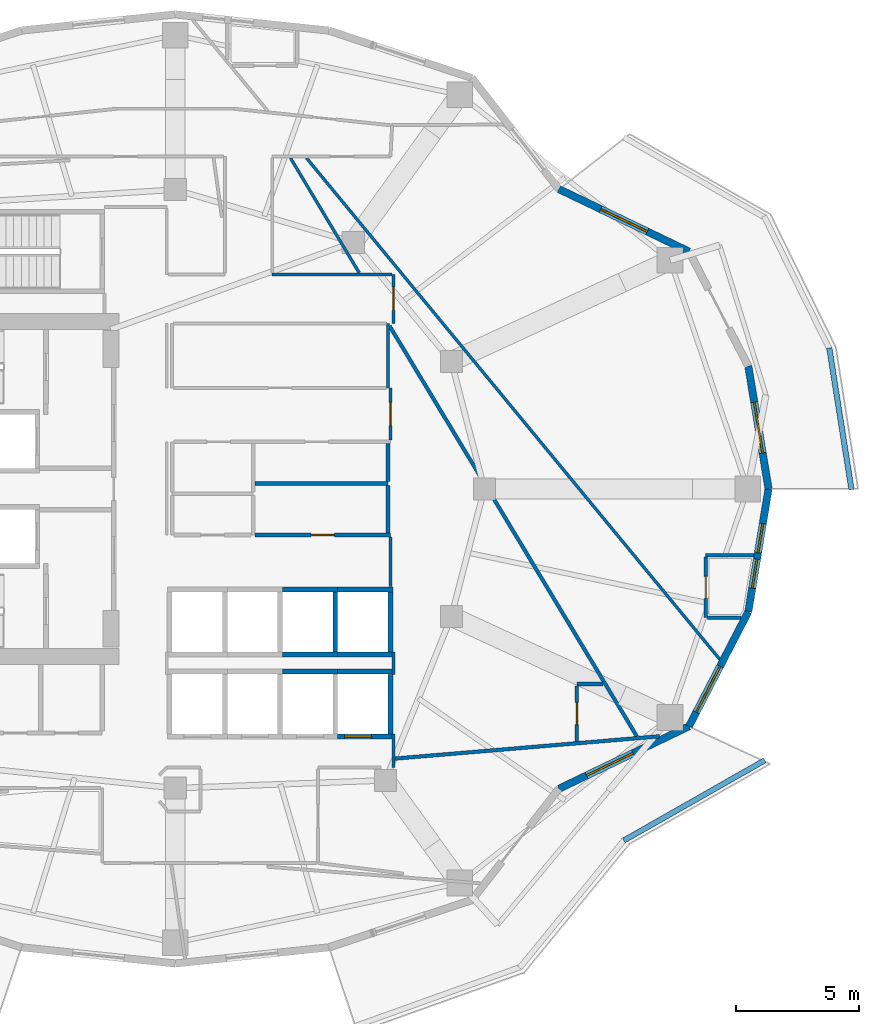
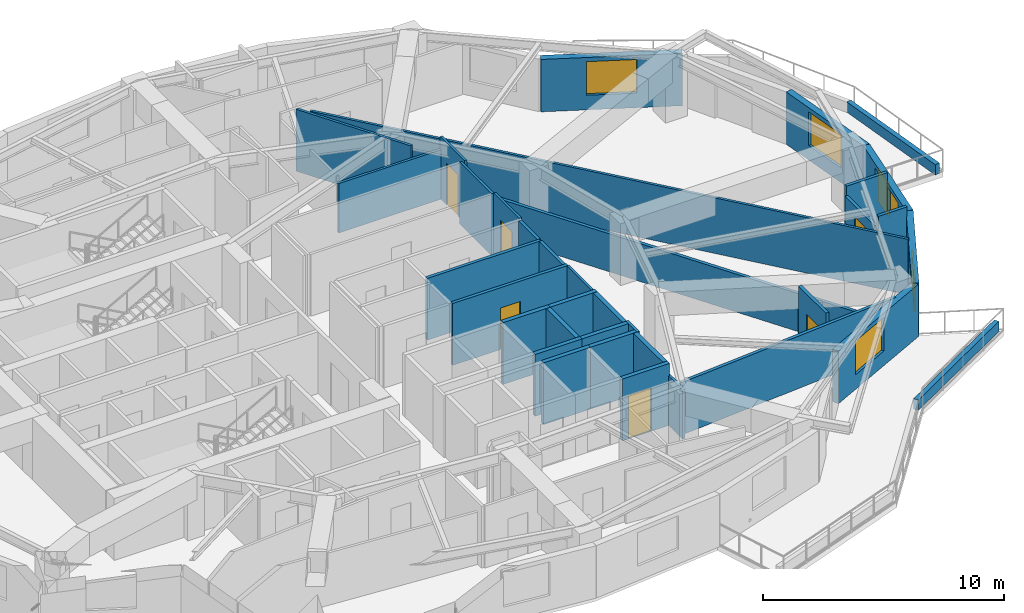
# One storey, part 6 of 12: 37 walls, 6 doors, 6 windows, 12 openings.
"""IFC4 building model written with IfcOpenShell, lengths in metres."""

from ifc_helpers import new_model, si_unit, direction, frame, frame_2d, origin, place, context, subcontext, project, spatial, rectangle, extrude, material, layer, layer_set, type_object, element, fill, save


model = new_model("IFC4")

# Units and contexts
model_context = context("Model", 3, precision=1e-05, world=origin(), true_north=direction((0.0, 1.0)))
body_context = subcontext(model_context, "Body", "Model", "MODEL_VIEW")
ifc_project = project(units=[si_unit("LENGTHUNIT", "METRE"), si_unit("AREAUNIT", "SQUARE_METRE"), si_unit("VOLUMEUNIT", "CUBIC_METRE"), si_unit("PLANEANGLEUNIT", "RADIAN"), si_unit("MASSUNIT", "GRAM", prefix="KILO")], contexts=[model_context])

# Site, building, storey
site_placement = place(None, origin())
site = spatial("IfcSite", under=ifc_project, at=site_placement, CompositionType="ELEMENT")
building_placement = place(site_placement, origin())
building = spatial("IfcBuilding", under=site, at=building_placement, Name="Kolvaren Gate Tower and Convention Centre", CompositionType="ELEMENT")
storey_placement = place(building_placement, frame((0.0, 0.0, 139.300048828125)))
storey = spatial("IfcBuildingStorey", under=building, at=storey_placement, Name="L35", CompositionType="ELEMENT", Elevation=139.300048828125)

# Walls
ifc_material_1 = material(Name="Fire-Rated Acoustic Gypsum Stud Partition", Category="gypsum")
ifc_layer_1 = layer(ifc_material_1, 0.1201171875)
ifc_layer_set_1 = layer_set([ifc_layer_1], Name="Fire-Rated Acoustic Gypsum Stud Partition")
wall_type_1 = type_object("IfcWallType", Name="ARCH-WL-PART-120", PredefinedType="PARTITIONING", material=ifc_layer_set_1)
wall_1_placement = place(storey_placement, frame((38.800048828125, 31.1201171875, 0.0), z_axis=(0.0, 0.0, 1.0), x_axis=(0.0, 1.0, 0.0)))
element("IfcWall", 1, at=wall_1_placement, inside=storey, type_object=wall_type_1, Name="Interior Partition WL-L35-INT-024", PredefinedType="PARTITIONING", context=body_context, shape_type="SweptSolid", body=[
    extrude(rectangle(XDim=2.6298828125, YDim=0.1201171875, at=frame_2d((1.31494140625, 0.0))), origin(), (0.0, 0.0, 1.0), 3.1298828125),
])
wall_2_placement = place(storey_placement, frame((39.02001953125, 15.64990234375, 0.0), z_axis=(0.0, 0.0, 1.0), x_axis=(0.0, 1.0, 0.0)))
element("IfcWall", 2, at=wall_2_placement, inside=storey, type_object=wall_type_1, Name="Interior Partition WL-L35-INT-027", PredefinedType="PARTITIONING", context=body_context, shape_type="SweptSolid", body=[
    extrude(rectangle(XDim=1.360107421875, YDim=0.1201171875, at=frame_2d((0.68017578125, 0.0))), origin(), (0.0, 0.0, 1.0), 2.5048828125),
])
wall_3_placement = place(storey_placement, frame((39.02001953125, 19.43994140625, 0.0), z_axis=(0.0, 0.0, 1.0), x_axis=(0.0, 1.0, 0.0)))
element("IfcWall", 3, at=wall_3_placement, inside=storey, type_object=wall_type_1, Name="Interior Partition WL-L35-INT-027 (2)", PredefinedType="PARTITIONING", context=body_context, shape_type="SweptSolid", body=[
    extrude(rectangle(XDim=0.920166015625, YDim=0.1201171875, at=frame_2d((0.4599609375, 0.0))), origin(), (0.0, 0.0, 1.0), 3.1298828125),
])

# Wall, opening, door
wall_4_placement = place(storey_placement, frame((39.02001953125, 33.75, 0.0), z_axis=(0.0, 0.0, 1.0), x_axis=(0.0, 1.0, 0.0)))
wall_4 = element("IfcWall", 4, at=wall_4_placement, inside=storey, type_object=wall_type_1, Name="Interior Partition WL-L35-INT-028", PredefinedType="PARTITIONING", context=body_context, shape_type="SweptSolid", body=[
    extrude(rectangle(XDim=2.0, YDim=0.1201171875, at=frame_2d((1.0, 0.0))), origin(), (0.0, 0.0, 1.0), 3.1298828125),
])
opening_1_placement = place(wall_4_placement, frame((0.52490234375, 0.0, 0.0)))
opening_1 = element("IfcOpeningElement", 5, at=opening_1_placement, cuts=wall_4, Name="Opening DR-01", PredefinedType="OPENING", context=body_context, shape_type="SweptSolid", body=[
    extrude(rectangle(XDim=0.949951171875, YDim=2.10009765625, at=frame_2d((0.47509765625, 1.050048828125))), frame((0.0, 0.070068359375, 0.0), z_axis=(0.0, -1.0, 0.0), x_axis=(1.0, 0.0, 0.0)), (0.0, 0.0, 1.0), 0.14013671875),
])
ifc_material_2 = material(Name="Painted Architectural Steelwork ASTM A500 Grade C 345 MPa", Category="steel")
door_type_1 = type_object("IfcDoorType", Name="ARCH-DR-RISER-950", OperationType="SINGLE_SWING_RIGHT", PredefinedType="DOOR", material=ifc_material_2)
door_1_placement = place(opening_1_placement, origin())
door_1 = element("IfcDoor", 6, at=door_1_placement, inside=storey, type_object=door_type_1, Name="Hotel Botanical Clubroom Door", OperationType="SINGLE_SWING_LEFT", OverallHeight=2.10009765625, OverallWidth=0.949951171875, PredefinedType="DOOR", context=body_context, shape_type="SweptSolid", body=[
    extrude(rectangle(XDim=0.949951171875, YDim=2.10009765625, at=frame_2d((0.47509765625, 1.050048828125))), frame((0.0, 0.02490234375, 0.0), z_axis=(0.0, -1.0, 0.0), x_axis=(1.0, 0.0, 0.0)), (0.0, 0.0, 1.0), 0.050048828125),
])
fill(opening_1, door_1)

# Walls
wall_5_placement = place(storey_placement, frame((34.080078125, 35.75, 0.0), z_axis=(0.0, 0.0, 1.0), x_axis=(1.0, 0.0, 0.0)))
element("IfcWall", 7, at=wall_5_placement, inside=storey, type_object=wall_type_1, Name="Interior Partition WL-L35-INT-044", PredefinedType="PARTITIONING", context=body_context, shape_type="SweptSolid", body=[
    extrude(rectangle(XDim=4.8779296875, YDim=0.1201171875, at=frame_2d((2.43896484375, 0.0))), origin(), (0.0, 0.0, 1.0), 2.5048828125),
])
wall_6_placement = place(storey_placement, frame((38.89990234375, 23.02001953125, 0.0), z_axis=(0.0, 0.0, 1.0), x_axis=(0.0, 1.0, 0.0)))
element("IfcWall", 8, at=wall_6_placement, inside=storey, type_object=wall_type_1, Name="Interior Partition WL-L35-INT-053", PredefinedType="PARTITIONING", context=body_context, shape_type="SweptSolid", body=[
    extrude(rectangle(XDim=2.02294921875, YDim=0.1201171875, at=frame_2d((1.011474609375, 0.0))), origin(), (0.0, 0.0, 1.0), 3.1298828125),
])

# Wall, opening, door
wall_7_placement = place(storey_placement, frame((38.89990234375, 28.9970703125, 0.0), z_axis=(0.0, 0.0, 1.0), x_axis=(0.0, 1.0, 0.0)))
wall_7 = element("IfcWall", 9, at=wall_7_placement, inside=storey, type_object=wall_type_1, Name="Interior Partition WL-L35-INT-054", PredefinedType="PARTITIONING", context=body_context, shape_type="SweptSolid", body=[
    extrude(rectangle(XDim=2.123046875, YDim=0.1201171875, at=frame_2d((1.0615234375, 0.0))), origin(), (0.0, 0.0, 1.0), 3.1298828125),
])
opening_2_placement = place(wall_7_placement, frame((0.58642578125, 0.0, 0.0)))
opening_2 = element("IfcOpeningElement", 10, at=opening_2_placement, cuts=wall_7, Name="Opening DR-01", PredefinedType="OPENING", context=body_context, shape_type="SweptSolid", body=[
    extrude(rectangle(XDim=0.949951171875, YDim=2.10009765625, at=frame_2d((0.47509765625, 1.050048828125))), frame((0.0, 0.070068359375, 0.0), z_axis=(0.0, -1.0, 0.0), x_axis=(1.0, 0.0, 0.0)), (0.0, 0.0, 1.0), 0.14013671875),
])
door_2_placement = place(opening_2_placement, origin())
door_2 = element("IfcDoor", 11, at=door_2_placement, inside=storey, type_object=door_type_1, Name="Deluxe Hotel Suite (HTL-L35-05) Door", OperationType="SINGLE_SWING_RIGHT", OverallHeight=2.10009765625, OverallWidth=0.949951171875, PredefinedType="DOOR", context=body_context, shape_type="SweptSolid", body=[
    extrude(rectangle(XDim=0.949951171875, YDim=2.10009765625, at=frame_2d((0.47509765625, 1.050048828125))), frame((0.0, 0.02490234375, 0.0), z_axis=(0.0, -1.0, 0.0), x_axis=(1.0, 0.0, 0.0)), (0.0, 0.0, 1.0), 0.050048828125),
])
fill(opening_2, door_2)

# Walls
wall_8_placement = place(storey_placement, frame((34.824951171875, 40.488037109375, 0.0), z_axis=(0.0, 0.0, 1.0), x_axis=(0.513579710685, -0.85804188754, 0.0)))
element("IfcWall", 12, at=wall_8_placement, inside=storey, type_object=wall_type_1, Name="Interior Partition WL-L35-INT-068", PredefinedType="PARTITIONING", context=body_context, shape_type="SweptSolid", body=[
    extrude(rectangle(XDim=5.44970703125, YDim=0.1201171875, at=frame_2d((2.724853515625, 0.0))), origin(), (0.0, 0.0, 1.0), 3.1298828125),
])
wall_9_placement = place(storey_placement, frame((35.47900390625, 40.488037109375, 0.0), z_axis=(0.0, 0.0, 1.0), x_axis=(0.636055982797, -0.771642914014, 0.0)))
element("IfcWall", 13, at=wall_9_placement, inside=storey, type_object=wall_type_1, Name="Interior Partition WL-L35-INT-070", PredefinedType="PARTITIONING", context=body_context, shape_type="SweptSolid", body=[
    extrude(rectangle(XDim=26.47265625, YDim=0.1201171875, at=frame_2d((13.236328125, 0.0))), origin(), (0.0, 0.0, 1.0), 2.81201171875),
])
ifc_material_3 = material(Name="Piedmont Cream Honed Limestone Cladding", Category="masonry")
ifc_layer_2 = layer(ifc_material_3, 0.219970703125)
ifc_layer_set_2 = layer_set([ifc_layer_2], Name="Piedmont Cream Honed Limestone Cladding")
wall_type_2 = type_object("IfcWallType", Name="ARCH-WL-PLANTER-220", PredefinedType="PARAPET", material=ifc_layer_set_2)
wall_10_placement = place(storey_placement, frame((56.78857421875, 32.745849609375, 0.0), z_axis=(0.0, 0.0, 1.0), x_axis=(0.154903030247, -0.987929679289, 0.0)))
element("IfcWall", 14, at=wall_10_placement, inside=storey, type_object=wall_type_2, Name="Vertical-Forest Balcony Stone Planter Kerb PK-L35-1.1", PredefinedType="PARAPET", context=body_context, shape_type="SweptSolid", body=[
    extrude(rectangle(XDim=5.845703125, YDim=0.219970703125, at=frame_2d((2.9228515625, 0.0))), origin(), (0.0, 0.0, 1.0), 0.52001953125),
])
wall_11_placement = place(storey_placement, frame((48.41259765625, 12.667724609375, 0.0), z_axis=(0.0, 0.0, 1.0), x_axis=(0.869187658335, 0.494482370361, 0.0)))
element("IfcWall", 15, at=wall_11_placement, inside=storey, type_object=wall_type_2, Name="Vertical-Forest Balcony Stone Planter Kerb PK-L35-4.3", PredefinedType="PARAPET", context=body_context, shape_type="SweptSolid", body=[
    extrude(rectangle(XDim=6.606201171875, YDim=0.219970703125, at=frame_2d((3.30322265625, 0.0))), origin(), (0.0, 0.0, 1.0), 0.52001953125),
])
ifc_material_4 = material(Name="Autoclaved Aerated Masonry Blockwork Class 4 (4.0 MPa)", Category="masonry")
ifc_layer_3 = layer(ifc_material_4, 0.199951171875)
ifc_layer_set_3 = layer_set([ifc_layer_3], Name="Autoclaved Aerated Masonry Blockwork Class 4 (4.0 MPa)")
wall_type_3 = type_object("IfcWallType", Name="ARCH-WL-SHAFT-200", PredefinedType="SOLIDWALL", material=ifc_layer_set_3)
for number, where, z_axis, x_axis, name in (
    (16, (34.5, 19.550048828125, 0.0), (0.0, 0.0, 1.0), (1.0, 0.0, 0.0), "Elevator PL-07 L35 Fire Shaft Wall N"),
    (17, (36.75, 19.550048828125, 0.0), (0.0, 0.0, 1.0), (1.0, 0.0, 0.0), "Elevator PL-08 L35 Fire Shaft Wall N"),
):
    element("IfcWall", number, at=place(storey_placement, frame(where, z_axis=z_axis, x_axis=x_axis)), inside=storey, type_object=wall_type_3, Name=name, PredefinedType="SOLIDWALL", context=body_context, shape_type="SweptSolid", body=[
        extrude(rectangle(XDim=2.25, YDim=0.199951171875, at=frame_2d((1.125, 0.0))), origin(), (0.0, 0.0, 1.0), 3.1298828125),
    ])

# Wall, opening, door
wall_12_placement = place(storey_placement, frame((36.75, 16.89990234375, 0.0), z_axis=(0.0, 0.0, 1.0), x_axis=(1.0, 0.0, 0.0)))
wall_12 = element("IfcWall", 18, at=wall_12_placement, inside=storey, type_object=wall_type_3, Name="Elevator PL-08 L35 Fire Shaft Wall S", PredefinedType="SOLIDWALL", context=body_context, shape_type="SweptSolid", body=[
    extrude(rectangle(XDim=2.25, YDim=0.199951171875, at=frame_2d((1.125, 0.0))), origin(), (0.0, 0.0, 1.0), 3.1298828125),
])
opening_3_placement = place(wall_12_placement, frame((0.280029296875, 0.0, 0.0)))
opening_3 = element("IfcOpeningElement", 19, at=opening_3_placement, cuts=wall_12, Name="Opening LD", PredefinedType="OPENING", context=body_context, shape_type="SweptSolid", body=[
    extrude(rectangle(XDim=1.10009765625, YDim=2.199951171875, at=frame_2d((0.550048828125, 1.10009765625))), frame((0.0, 0.10986328125, 0.0), z_axis=(0.0, -1.0, 0.0), x_axis=(1.0, 0.0, 0.0)), (0.0, 0.0, 1.0), 0.219970703125),
])
ifc_material_5 = material(Name="Brushed Stainless Steel Grade 316L", Category="steel")
door_type_2 = type_object("IfcDoorType", Name="ARCH-DR-LIFT-1100", OperationType="SLIDING_TO_LEFT", PredefinedType="DOOR", material=ifc_material_5)
door_3_placement = place(opening_3_placement, origin())
door_3 = element("IfcDoor", 20, at=door_3_placement, inside=storey, type_object=door_type_2, Name="Elevator PL-08 L35 Sliding Landing Door", OperationType="SLIDING_TO_LEFT", OverallHeight=2.199951171875, OverallWidth=1.10009765625, PredefinedType="DOOR", context=body_context, shape_type="SweptSolid", body=[
    extrude(rectangle(XDim=1.10009765625, YDim=2.199951171875, at=frame_2d((0.550048828125, 1.10009765625))), frame((0.0, 0.02490234375, 0.0), z_axis=(0.0, -1.0, 0.0), x_axis=(1.0, 0.0, 0.0)), (0.0, 0.0, 1.0), 0.050048828125),
])
fill(opening_3, door_3)

# Walls
wall_13_placement = place(storey_placement, frame((38.89990234375, 17.010009765625, 0.0), z_axis=(0.0, 0.0, 1.0), x_axis=(0.0, 1.0, 0.0)))
element("IfcWall", 21, at=wall_13_placement, inside=storey, type_object=wall_type_3, Name="Elevator PL-08 L35 Fire Shaft Wall E", PredefinedType="SOLIDWALL", context=body_context, shape_type="SweptSolid", body=[
    extrude(rectangle(XDim=2.429931640625, YDim=0.199951171875, at=frame_2d((1.21484375, 0.0))), origin(), (0.0, 0.0, 1.0), 3.1298828125),
])
for number, where, z_axis, x_axis, name in (
    (22, (34.5, 22.89990234375, 0.0), (0.0, 0.0, 1.0), (1.0, 0.0, 0.0), "Elevator PL-11 L35 Fire Shaft Wall N"),
    (23, (34.5, 20.25, 0.0), (0.0, 0.0, 1.0), (1.0, 0.0, 0.0), "Elevator PL-11 L35 Fire Shaft Wall S"),
):
    element("IfcWall", number, at=place(storey_placement, frame(where, z_axis=z_axis, x_axis=x_axis)), inside=storey, type_object=wall_type_3, Name=name, PredefinedType="SOLIDWALL", context=body_context, shape_type="SweptSolid", body=[
        extrude(rectangle(XDim=2.25, YDim=0.199951171875, at=frame_2d((1.125, 0.0))), origin(), (0.0, 0.0, 1.0), 3.1298828125),
    ])
wall_14_placement = place(storey_placement, frame((36.64990234375, 20.360107421875, 0.0), z_axis=(0.0, 0.0, 1.0), x_axis=(0.0, 1.0, 0.0)))
element("IfcWall", 24, at=wall_14_placement, inside=storey, type_object=wall_type_3, Name="Elevator PL-11 L35 Fire Shaft Wall E", PredefinedType="SOLIDWALL", context=body_context, shape_type="SweptSolid", body=[
    extrude(rectangle(XDim=2.429931640625, YDim=0.199951171875, at=frame_2d((1.21484375, 0.0))), origin(), (0.0, 0.0, 1.0), 3.1298828125),
])
for number, where, z_axis, x_axis, name in (
    (25, (36.75, 22.89990234375, 0.0), (0.0, 0.0, 1.0), (1.0, 0.0, 0.0), "Elevator PL-12 L35 Fire Shaft Wall N"),
    (26, (36.75, 20.25, 0.0), (0.0, 0.0, 1.0), (1.0, 0.0, 0.0), "Elevator PL-12 L35 Fire Shaft Wall S"),
):
    element("IfcWall", number, at=place(storey_placement, frame(where, z_axis=z_axis, x_axis=x_axis)), inside=storey, type_object=wall_type_3, Name=name, PredefinedType="SOLIDWALL", context=body_context, shape_type="SweptSolid", body=[
        extrude(rectangle(XDim=2.25, YDim=0.199951171875, at=frame_2d((1.125, 0.0))), origin(), (0.0, 0.0, 1.0), 3.1298828125),
    ])
wall_15_placement = place(storey_placement, frame((38.89990234375, 20.360107421875, 0.0), z_axis=(0.0, 0.0, 1.0), x_axis=(0.0, 1.0, 0.0)))
element("IfcWall", 27, at=wall_15_placement, inside=storey, type_object=wall_type_3, Name="Elevator PL-12 L35 Fire Shaft Wall E", PredefinedType="SOLIDWALL", context=body_context, shape_type="SweptSolid", body=[
    extrude(rectangle(XDim=2.429931640625, YDim=0.199951171875, at=frame_2d((1.21484375, 0.0))), origin(), (0.0, 0.0, 1.0), 3.1298828125),
])

# Wall, opening, window
ifc_layer_4 = layer(ifc_material_3, 0.300048828125)
ifc_layer_set_4 = layer_set([ifc_layer_4], Name="Piedmont Cream Honed Limestone Cladding")
wall_type_4 = type_object("IfcWallType", Name="ARCH-WL-STONE-300", PredefinedType="SOLIDWALL", material=ifc_layer_set_4)
wall_16_placement = place(storey_placement, frame((53.48828125, 32.008056640625, 0.0), z_axis=(0.0, 0.0, 1.0), x_axis=(0.162393944769, -0.986726003864, 0.0)))
wall_16 = element("IfcWall", 28, at=wall_16_placement, inside=storey, type_object=wall_type_4, Name="Tower L35 Honed Stone Spandrel Wall EW-00", PredefinedType="SOLIDWALL", context=body_context, shape_type="SweptSolid", body=[
    extrude(rectangle(XDim=5.075439453125, YDim=0.300048828125, at=frame_2d((2.53759765625, 0.0))), origin(), (0.0, 0.0, 1.0), 2.65283203125),
])
opening_4_placement = place(wall_16_placement, frame((1.488037109375, 0.0, 0.739990234375)))
opening_4 = element("IfcOpeningElement", 29, at=opening_4_placement, cuts=wall_16, Name="Opening W-02", PredefinedType="OPENING", context=body_context, shape_type="SweptSolid", body=[
    extrude(rectangle(XDim=2.10009765625, YDim=1.699951171875, at=frame_2d((1.050048828125, 0.85009765625))), frame((0.0, 0.159912109375, 0.0), z_axis=(0.0, -1.0, 0.0), x_axis=(1.0, 0.0, 0.0)), (0.0, 0.0, 1.0), 0.320068359375),
])
ifc_material_6 = material(Name="Low-E Triple Insulated Glazing Unit 44 mm", Category="glass")
window_type_1 = type_object("IfcWindowType", Name="ARCH-WN-HTL-2100", PartitioningType="SINGLE_PANEL", PredefinedType="WINDOW", material=ifc_material_6)
window_1_placement = place(opening_4_placement, origin())
window_1 = element("IfcWindow", 30, at=window_1_placement, inside=storey, type_object=window_type_1, Name="Tower L35 Punched Stone Facade Window W-00", OverallHeight=1.699951171875, OverallWidth=2.10009765625, PartitioningType="SINGLE_PANEL", PredefinedType="WINDOW", context=body_context, shape_type="SweptSolid", body=[
    extrude(rectangle(XDim=2.10009765625, YDim=1.699951171875, at=frame_2d((1.050048828125, 0.85009765625))), frame((0.0, 0.030029296875, 0.0), z_axis=(0.0, -1.0, 0.0), x_axis=(1.0, 0.0, 0.0)), (0.0, 0.0, 1.0), 0.06005859375),
])
fill(opening_4, window_1)

wall_17_placement = place(storey_placement, frame((45.768798828125, 39.222900390625, 0.0), z_axis=(0.0, 0.0, 1.0), x_axis=(0.901370184739, -0.433049408339, 0.0)))
wall_17 = element("IfcWall", 31, at=wall_17_placement, inside=storey, type_object=wall_type_4, Name="Tower L35 Honed Stone Spandrel Wall EW-02", PredefinedType="SOLIDWALL", context=body_context, shape_type="SweptSolid", body=[
    extrude(rectangle(XDim=5.883544921875, YDim=0.300048828125, at=frame_2d((2.94189453125, 0.0))), origin(), (0.0, 0.0, 1.0), 2.65283203125),
])
opening_5_placement = place(wall_17_placement, frame((1.89208984375, 0.0, 0.739990234375)))
opening_5 = element("IfcOpeningElement", 32, at=opening_5_placement, cuts=wall_17, Name="Opening W-02", PredefinedType="OPENING", context=body_context, shape_type="SweptSolid", body=[
    extrude(rectangle(XDim=2.10009765625, YDim=1.699951171875, at=frame_2d((1.050048828125, 0.85009765625))), frame((0.0, 0.159912109375, 0.0), z_axis=(0.0, -1.0, 0.0), x_axis=(1.0, 0.0, 0.0)), (0.0, 0.0, 1.0), 0.320068359375),
])
window_2_placement = place(opening_5_placement, origin())
window_2 = element("IfcWindow", 33, at=window_2_placement, inside=storey, type_object=window_type_1, Name="Tower L35 Punched Stone Facade Window W-02", OverallHeight=1.699951171875, OverallWidth=2.10009765625, PartitioningType="SINGLE_PANEL", PredefinedType="WINDOW", context=body_context, shape_type="SweptSolid", body=[
    extrude(rectangle(XDim=2.10009765625, YDim=1.699951171875, at=frame_2d((1.050048828125, 0.85009765625))), frame((0.0, 0.030029296875, 0.0), z_axis=(0.0, -1.0, 0.0), x_axis=(1.0, 0.0, 0.0)), (0.0, 0.0, 1.0), 0.06005859375),
])
fill(opening_5, window_2)

wall_18_placement = place(storey_placement, frame((45.768798828125, 14.777099609375, 0.0), z_axis=(0.0, 0.0, 1.0), x_axis=(0.901370184739, 0.433049408339, 0.0)))
wall_18 = element("IfcWall", 34, at=wall_18_placement, inside=storey, type_object=wall_type_4, Name="Tower L35 Honed Stone Spandrel Wall EW-21", PredefinedType="SOLIDWALL", context=body_context, shape_type="SweptSolid", body=[
    extrude(rectangle(XDim=5.883544921875, YDim=0.300048828125, at=frame_2d((2.94189453125, 0.0))), origin(), (0.0, 0.0, 1.0), 2.65283203125),
])
opening_6_placement = place(wall_18_placement, frame((1.25, 0.0, 0.739990234375)))
opening_6 = element("IfcOpeningElement", 35, at=opening_6_placement, cuts=wall_18, Name="Opening W-02", PredefinedType="OPENING", context=body_context, shape_type="SweptSolid", body=[
    extrude(rectangle(XDim=2.10009765625, YDim=1.699951171875, at=frame_2d((1.050048828125, 0.85009765625))), frame((0.0, 0.159912109375, 0.0), z_axis=(0.0, -1.0, 0.0), x_axis=(1.0, 0.0, 0.0)), (0.0, 0.0, 1.0), 0.320068359375),
])
window_3_placement = place(opening_6_placement, origin())
window_3 = element("IfcWindow", 36, at=window_3_placement, inside=storey, type_object=window_type_1, Name="Tower L35 Punched Stone Facade Window W-21", OverallHeight=1.699951171875, OverallWidth=2.10009765625, PartitioningType="SINGLE_PANEL", PredefinedType="WINDOW", context=body_context, shape_type="SweptSolid", body=[
    extrude(rectangle(XDim=2.10009765625, YDim=1.699951171875, at=frame_2d((1.050048828125, 0.85009765625))), frame((0.0, 0.030029296875, 0.0), z_axis=(0.0, -1.0, 0.0), x_axis=(1.0, 0.0, 0.0)), (0.0, 0.0, 1.0), 0.06005859375),
])
fill(opening_6, window_3)

wall_19_placement = place(storey_placement, frame((51.072021484375, 17.324951171875, 0.0), z_axis=(0.0, 0.0, 1.0), x_axis=(0.459767899643, 0.888039119892, 0.0)))
wall_19 = element("IfcWall", 37, at=wall_19_placement, inside=storey, type_object=wall_type_4, Name="Tower L35 Honed Stone Spandrel Wall EW-22", PredefinedType="SOLIDWALL", context=body_context, shape_type="SweptSolid", body=[
    extrude(rectangle(XDim=5.25537109375, YDim=0.300048828125, at=frame_2d((2.627685546875, 0.0))), origin(), (0.0, 0.0, 1.0), 2.65283203125),
])
opening_7_placement = place(wall_19_placement, frame((0.64990234375, 0.0, 0.739990234375)))
opening_7 = element("IfcOpeningElement", 38, at=opening_7_placement, cuts=wall_19, Name="Opening W-02", PredefinedType="OPENING", context=body_context, shape_type="SweptSolid", body=[
    extrude(rectangle(XDim=2.10009765625, YDim=1.699951171875, at=frame_2d((1.050048828125, 0.85009765625))), frame((0.0, 0.159912109375, 0.0), z_axis=(0.0, -1.0, 0.0), x_axis=(1.0, 0.0, 0.0)), (0.0, 0.0, 1.0), 0.320068359375),
])
window_4_placement = place(opening_7_placement, origin())
window_4 = element("IfcWindow", 39, at=window_4_placement, inside=storey, type_object=window_type_1, Name="Tower L35 Punched Stone Facade Window W-22", OverallHeight=1.699951171875, OverallWidth=2.10009765625, PartitioningType="SINGLE_PANEL", PredefinedType="WINDOW", context=body_context, shape_type="SweptSolid", body=[
    extrude(rectangle(XDim=2.10009765625, YDim=1.699951171875, at=frame_2d((1.050048828125, 0.85009765625))), frame((0.0, 0.030029296875, 0.0), z_axis=(0.0, -1.0, 0.0), x_axis=(1.0, 0.0, 0.0)), (0.0, 0.0, 1.0), 0.06005859375),
])
fill(opening_7, window_4)

# Wall, openings, windows
wall_20_placement = place(storey_placement, frame((53.48828125, 21.991943359375, 0.0), z_axis=(0.0, 0.0, 1.0), x_axis=(0.162393944769, 0.986726003864, 0.0)))
wall_20 = element("IfcWall", 40, at=wall_20_placement, inside=storey, type_object=wall_type_4, Name="Tower L35 Honed Stone Spandrel Wall EW-23", PredefinedType="SOLIDWALL", context=body_context, shape_type="SweptSolid", body=[
    extrude(rectangle(XDim=5.075439453125, YDim=0.300048828125, at=frame_2d((2.53759765625, 0.0))), origin(), (0.0, 0.0, 1.0), 2.65283203125),
])
opening_8_placement = place(wall_20_placement, frame((0.973876953125, 0.0, 0.739990234375)))
opening_8 = element("IfcOpeningElement", 41, at=opening_8_placement, cuts=wall_20, Name="Opening W-04", PredefinedType="OPENING", context=body_context, shape_type="SweptSolid", body=[
    extrude(rectangle(XDim=1.199951171875, YDim=1.699951171875, at=frame_2d((0.60009765625, 0.85009765625))), frame((0.0, 0.159912109375, 0.0), z_axis=(0.0, -1.0, 0.0), x_axis=(1.0, 0.0, 0.0)), (0.0, 0.0, 1.0), 0.320068359375),
])
opening_9_placement = place(wall_20_placement, frame((2.444091796875, 0.0, 0.739990234375)))
opening_9 = element("IfcOpeningElement", 42, at=opening_9_placement, cuts=wall_20, Name="Opening W-04", PredefinedType="OPENING", context=body_context, shape_type="SweptSolid", body=[
    extrude(rectangle(XDim=1.199951171875, YDim=1.699951171875, at=frame_2d((0.60009765625, 0.85009765625))), frame((0.0, 0.159912109375, 0.0), z_axis=(0.0, -1.0, 0.0), x_axis=(1.0, 0.0, 0.0)), (0.0, 0.0, 1.0), 0.320068359375),
])
window_type_2 = type_object("IfcWindowType", Name="ARCH-WN-NARROW-1200", PartitioningType="SINGLE_PANEL", PredefinedType="WINDOW", material=ifc_material_6)
window_5_placement = place(opening_8_placement, origin())
window_5 = element("IfcWindow", 43, at=window_5_placement, inside=storey, type_object=window_type_2, Name="Tower L35 Punched Stone Facade Window W-23", OverallHeight=1.699951171875, OverallWidth=1.199951171875, PartitioningType="SINGLE_PANEL", PredefinedType="WINDOW", context=body_context, shape_type="SweptSolid", body=[
    extrude(rectangle(XDim=1.199951171875, YDim=1.699951171875, at=frame_2d((0.60009765625, 0.85009765625))), frame((0.0, 0.030029296875, 0.0), z_axis=(0.0, -1.0, 0.0), x_axis=(1.0, 0.0, 0.0)), (0.0, 0.0, 1.0), 0.06005859375),
])
fill(opening_8, window_5)
window_6_placement = place(opening_9_placement, origin())
window_6 = element("IfcWindow", 44, at=window_6_placement, inside=storey, type_object=window_type_2, Name="Tower L35 Punched Stone Facade Window W-23B", OverallHeight=1.699951171875, OverallWidth=1.199951171875, PartitioningType="SINGLE_PANEL", PredefinedType="WINDOW", context=body_context, shape_type="SweptSolid", body=[
    extrude(rectangle(XDim=1.199951171875, YDim=1.699951171875, at=frame_2d((0.60009765625, 0.85009765625))), frame((0.0, 0.030029296875, 0.0), z_axis=(0.0, -1.0, 0.0), x_axis=(1.0, 0.0, 0.0)), (0.0, 0.0, 1.0), 0.06005859375),
])
fill(opening_9, window_6)

# Wall, opening, door
ifc_material_7 = material(Name="Moisture-Resistant Cement-Board Acoustic Partition", Category="gypsum")
ifc_layer_5 = layer(ifc_material_7, 0.14990234375)
ifc_layer_set_5 = layer_set([ifc_layer_5], Name="Moisture-Resistant Cement-Board Acoustic Partition")
wall_type_5 = type_object("IfcWallType", Name="ARCH-WL-WET-150", PredefinedType="PARTITIONING", material=ifc_layer_set_5)
wall_21_placement = place(storey_placement, frame((33.376953125, 25.1201171875, 0.0), z_axis=(0.0, 0.0, 1.0), x_axis=(1.0, 0.0, 0.0)))
wall_21 = element("IfcWall", 45, at=wall_21_placement, inside=storey, type_object=wall_type_5, Name="Interior Partition WL-L35-INT-021 (2)", PredefinedType="PARTITIONING", context=body_context, shape_type="SweptSolid", body=[
    extrude(rectangle(XDim=5.52294921875, YDim=0.14990234375, at=frame_2d((2.761474609375, 0.0))), origin(), (0.0, 0.0, 1.0), 3.1298828125),
])
opening_10_placement = place(wall_21_placement, frame((2.28662109375, 0.0, 0.0)))
opening_10 = element("IfcOpeningElement", 46, at=opening_10_placement, cuts=wall_21, Name="Opening DR-01", PredefinedType="OPENING", context=body_context, shape_type="SweptSolid", body=[
    extrude(rectangle(XDim=0.949951171875, YDim=2.10009765625, at=frame_2d((0.47509765625, 1.050048828125))), frame((0.0, 0.0849609375, 0.0), z_axis=(0.0, -1.0, 0.0), x_axis=(1.0, 0.0, 0.0)), (0.0, 0.0, 1.0), 0.169921875),
])
door_4_placement = place(opening_10_placement, origin())
door_4 = element("IfcDoor", 47, at=door_4_placement, inside=storey, type_object=door_type_1, Name="Floor Coffee Pantry Door", OperationType="SINGLE_SWING_RIGHT", OverallHeight=2.10009765625, OverallWidth=0.949951171875, PredefinedType="DOOR", context=body_context, shape_type="SweptSolid", body=[
    extrude(rectangle(XDim=0.949951171875, YDim=2.10009765625, at=frame_2d((0.47509765625, 1.050048828125))), frame((0.0, 0.02490234375, 0.0), z_axis=(0.0, -1.0, 0.0), x_axis=(1.0, 0.0, 0.0)), (0.0, 0.0, 1.0), 0.050048828125),
])
fill(opening_10, door_4)

# Walls
wall_22_placement = place(storey_placement, frame((33.376953125, 27.219970703125, 0.0), z_axis=(0.0, 0.0, 1.0), x_axis=(1.0, 0.0, 0.0)))
element("IfcWall", 48, at=wall_22_placement, inside=storey, type_object=wall_type_5, Name="Interior Partition WL-L35-INT-022", PredefinedType="PARTITIONING", context=body_context, shape_type="SweptSolid", body=[
    extrude(rectangle(XDim=5.423095703125, YDim=0.14990234375, at=frame_2d((2.71142578125, 0.0))), origin(), (0.0, 0.0, 1.0), 3.1298828125),
])
wall_23_placement = place(storey_placement, frame((38.800048828125, 25.197021484375, 0.0), z_axis=(0.0, 0.0, 1.0), x_axis=(0.0, 1.0, 0.0)))
element("IfcWall", 49, at=wall_23_placement, inside=storey, type_object=wall_type_5, Name="Interior Partition WL-L35-INT-023", PredefinedType="PARTITIONING", context=body_context, shape_type="SweptSolid", body=[
    extrude(rectangle(XDim=1.946044921875, YDim=0.14990234375, at=frame_2d((0.97314453125, 0.0))), origin(), (0.0, 0.0, 1.0), 3.1298828125),
])
wall_24_placement = place(storey_placement, frame((38.800048828125, 27.297119140625, 0.0), z_axis=(0.0, 0.0, 1.0), x_axis=(0.0, 1.0, 0.0)))
element("IfcWall", 50, at=wall_24_placement, inside=storey, type_object=wall_type_5, Name="Interior Partition WL-L35-INT-023 (2)", PredefinedType="PARTITIONING", context=body_context, shape_type="SweptSolid", body=[
    extrude(rectangle(XDim=1.5458984375, YDim=0.14990234375, at=frame_2d((0.77294921875, 0.0))), origin(), (0.0, 0.0, 1.0), 3.1298828125),
])
wall_25_placement = place(storey_placement, frame((39.08203125, 16.006591796875, 0.0), z_axis=(0.0, 0.0, 1.0), x_axis=(0.996467083395, 0.083984234889, 0.0)))
element("IfcWall", 51, at=wall_25_placement, inside=storey, type_object=wall_type_5, Name="Interior Partition WL-L35-INT-060", PredefinedType="PARTITIONING", context=body_context, shape_type="SweptSolid", body=[
    extrude(rectangle(XDim=10.82568359375, YDim=0.14990234375, at=frame_2d((5.412841796875, 0.0))), origin(), (0.0, 0.0, 1.0), 2.65283203125),
])
wall_26_placement = place(storey_placement, frame((38.862060546875, 33.647216796875, 0.0), z_axis=(0.0, 0.0, 1.0), x_axis=(0.516075497247, -0.856543099407, 0.0)))
element("IfcWall", 52, at=wall_26_placement, inside=storey, type_object=wall_type_5, Name="Interior Partition WL-L35-INT-065", PredefinedType="PARTITIONING", context=body_context, shape_type="SweptSolid", body=[
    extrude(rectangle(XDim=19.534423828125, YDim=0.14990234375, at=frame_2d((9.76708984375, 0.0))), origin(), (0.0, 0.0, 1.0), 1.92236328125),
])
wall_27_placement = place(storey_placement, frame((46.5, 19.050048828125, 0.0), z_axis=(0.0, 0.0, 1.0), x_axis=(1.0, 0.0, 0.0)))
element("IfcWall", 53, at=wall_27_placement, inside=storey, type_object=wall_type_5, Name="Interior Partition WL-L35-INT-066", PredefinedType="PARTITIONING", context=body_context, shape_type="SweptSolid", body=[
    extrude(rectangle(XDim=1.067138671875, YDim=0.14990234375, at=frame_2d((0.53369140625, 0.0))), origin(), (0.0, 0.0, 1.0), 1.92236328125),
])

# Wall, opening, door
wall_28_placement = place(storey_placement, frame((46.5, 16.708984375, 0.0), z_axis=(0.0, 0.0, 1.0), x_axis=(0.0, 1.0, 0.0)))
wall_28 = element("IfcWall", 54, at=wall_28_placement, inside=storey, type_object=wall_type_5, Name="Interior Partition WL-L35-INT-067", PredefinedType="PARTITIONING", context=body_context, shape_type="SweptSolid", body=[
    extrude(rectangle(XDim=2.263916015625, YDim=0.14990234375, at=frame_2d((1.1318359375, 0.0))), origin(), (0.0, 0.0, 1.0), 3.1298828125),
])
opening_11_placement = place(wall_28_placement, frame((0.681884765625, 0.0, 0.0)))
opening_11 = element("IfcOpeningElement", 55, at=opening_11_placement, cuts=wall_28, Name="Opening DW-01", PredefinedType="OPENING", context=body_context, shape_type="SweptSolid", body=[
    extrude(rectangle(XDim=0.89990234375, YDim=2.10009765625, at=frame_2d((0.449951171875, 1.050048828125))), frame((0.0, 0.0849609375, 0.0), z_axis=(0.0, -1.0, 0.0), x_axis=(1.0, 0.0, 0.0)), (0.0, 0.0, 1.0), 0.169921875),
])
ifc_material_8 = material(Name="FSC Andean Oak Engineered Veneer Door Leaf", Category="wood")
door_type_3 = type_object("IfcDoorType", Name="ARCH-DR-WC-900", OperationType="SINGLE_SWING_RIGHT", PredefinedType="DOOR", material=ifc_material_8)
door_5_placement = place(opening_11_placement, origin())
door_5 = element("IfcDoor", 56, at=door_5_placement, inside=storey, type_object=door_type_3, Name="En-suite Bathroom (HTL-L35-05) Door", OperationType="SINGLE_SWING_RIGHT", OverallHeight=2.10009765625, OverallWidth=0.89990234375, PredefinedType="DOOR", context=body_context, shape_type="SweptSolid", body=[
    extrude(rectangle(XDim=0.89990234375, YDim=2.10009765625, at=frame_2d((0.449951171875, 1.050048828125))), frame((0.0, 0.02490234375, 0.0), z_axis=(0.0, -1.0, 0.0), x_axis=(1.0, 0.0, 0.0)), (0.0, 0.0, 1.0), 0.050048828125),
])
fill(opening_11, door_5)

# Wall
wall_29_placement = place(storey_placement, frame((51.75, 24.300048828125, 0.0), z_axis=(0.0, 0.0, 1.0), x_axis=(1.0, 0.0, 0.0)))
element("IfcWall", 57, at=wall_29_placement, inside=storey, type_object=wall_type_5, Name="Interior Partition WL-L35-INT-072", PredefinedType="PARTITIONING", context=body_context, shape_type="SweptSolid", body=[
    extrude(rectangle(XDim=1.964111328125, YDim=0.14990234375, at=frame_2d((0.98193359375, 0.0))), origin(), (0.0, 0.0, 1.0), 3.1298828125),
])

# Wall, opening, door
wall_30_placement = place(storey_placement, frame((51.75, 21.75, 0.0), z_axis=(0.0, 0.0, 1.0), x_axis=(0.0, 1.0, 0.0)))
wall_30 = element("IfcWall", 58, at=wall_30_placement, inside=storey, type_object=wall_type_5, Name="Interior Partition WL-L35-INT-073", PredefinedType="PARTITIONING", context=body_context, shape_type="SweptSolid", body=[
    extrude(rectangle(XDim=2.472900390625, YDim=0.14990234375, at=frame_2d((1.236328125, 0.0))), origin(), (0.0, 0.0, 1.0), 2.65283203125),
])
opening_12_placement = place(wall_30_placement, frame((0.78662109375, 0.0, 0.0)))
opening_12 = element("IfcOpeningElement", 59, at=opening_12_placement, cuts=wall_30, Name="Opening DW-01", PredefinedType="OPENING", context=body_context, shape_type="SweptSolid", body=[
    extrude(rectangle(XDim=0.89990234375, YDim=2.10009765625, at=frame_2d((0.449951171875, 1.050048828125))), frame((0.0, 0.0849609375, 0.0), z_axis=(0.0, -1.0, 0.0), x_axis=(1.0, 0.0, 0.0)), (0.0, 0.0, 1.0), 0.169921875),
])
door_6_placement = place(opening_12_placement, origin())
door_6 = element("IfcDoor", 60, at=door_6_placement, inside=storey, type_object=door_type_3, Name="En-suite Bathroom (HTL-L35-07) Door", OperationType="SINGLE_SWING_LEFT", OverallHeight=2.10009765625, OverallWidth=0.89990234375, PredefinedType="DOOR", context=body_context, shape_type="SweptSolid", body=[
    extrude(rectangle(XDim=0.89990234375, YDim=2.10009765625, at=frame_2d((0.449951171875, 1.050048828125))), frame((0.0, 0.02490234375, 0.0), z_axis=(0.0, -1.0, 0.0), x_axis=(1.0, 0.0, 0.0)), (0.0, 0.0, 1.0), 0.050048828125),
])
fill(opening_12, door_6)

# Wall
wall_31_placement = place(storey_placement, frame((51.826904296875, 21.75, 0.0), z_axis=(0.0, 0.0, 1.0), x_axis=(1.0, 0.0, 0.0)))
element("IfcWall", 61, at=wall_31_placement, inside=storey, type_object=wall_type_5, Name="Interior Partition WL-L35-INT-074", PredefinedType="PARTITIONING", context=body_context, shape_type="SweptSolid", body=[
    extrude(rectangle(XDim=1.364990234375, YDim=0.14990234375, at=frame_2d((0.6826171875, 0.0))), origin(), (0.0, 0.0, 1.0), 3.1298828125),
])

save(model, "model.ifc")
